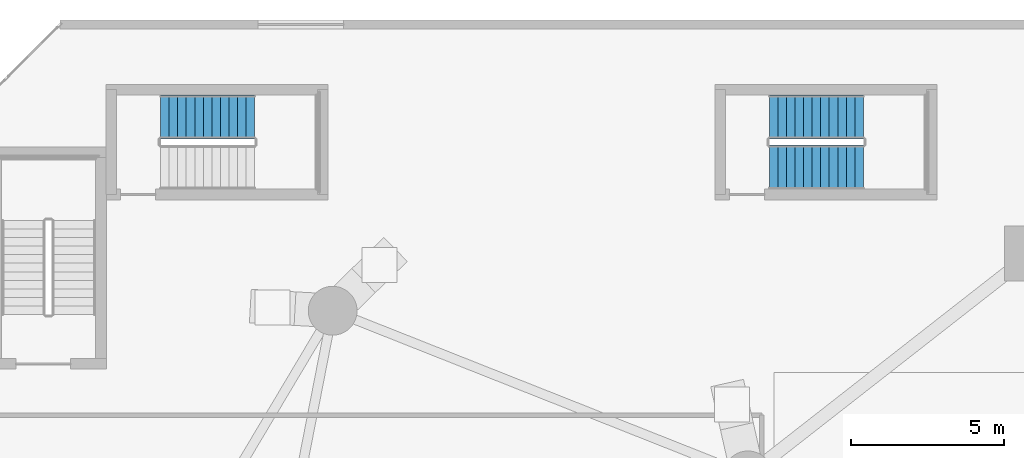
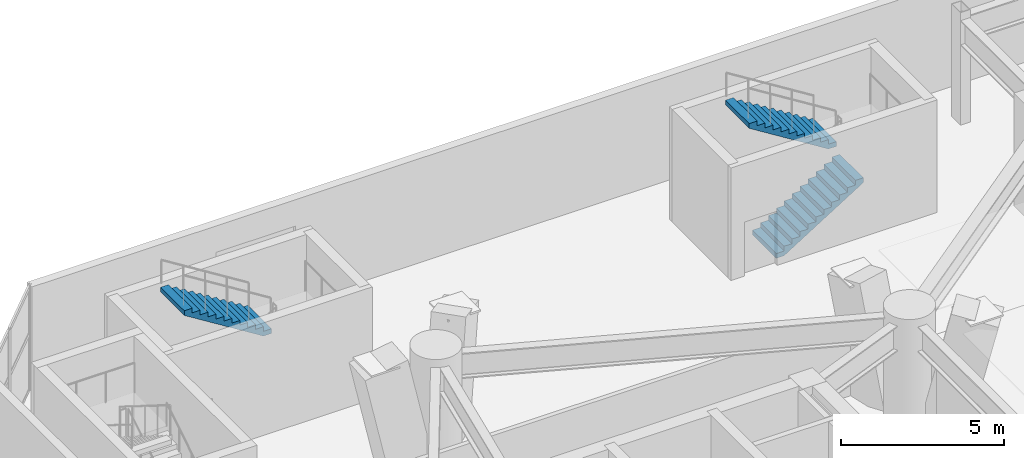
# One storey, part 15 of 20: 3 stair flights, 2 elements without a shape of their own.
"""IFC4 building model written with IfcOpenShell, lengths in metres."""

from ifc_helpers import new_model, si_unit, direction, frame, origin, place, context, subcontext, project, spatial, polyline, outline, extrude, material, type_object, element, aggregate, save


model = new_model("IFC4")

# Units and contexts
model_context = context("Model", 3, precision=1e-05, world=origin(), true_north=direction((0.0, 1.0)))
body_context = subcontext(model_context, "Body", "Model", "MODEL_VIEW")
ifc_project = project(units=[si_unit("LENGTHUNIT", "METRE"), si_unit("AREAUNIT", "SQUARE_METRE"), si_unit("VOLUMEUNIT", "CUBIC_METRE"), si_unit("PLANEANGLEUNIT", "RADIAN"), si_unit("MASSUNIT", "GRAM", prefix="KILO")], contexts=[model_context])

# Site, building, storey
site_placement = place(None, origin())
site = spatial("IfcSite", under=ifc_project, at=site_placement, CompositionType="ELEMENT")
building_placement = place(site_placement, origin())
building = spatial("IfcBuilding", under=site, at=building_placement, Name="Cununo Teusaquillo Station Towers", CompositionType="ELEMENT")
storey_placement = place(building_placement, frame((0.0, 0.0, 4.800048828125)))
storey = spatial("IfcBuildingStorey", under=building, at=storey_placement, Name="L01", CompositionType="ELEMENT", Elevation=4.800048828125)

# Stair, stair flights
ifc_material_1 = material(Name="Concrete C50/60", Category="concrete")
stair_type = type_object("IfcStairType", Name="ST-POD-1450", PredefinedType="HALF_TURN_STAIR", material=ifc_material_1)
stair_1_placement = place(storey_placement, origin())
stair_1 = element("IfcStair", 1, at=stair_1_placement, inside=storey, type_object=stair_type, Name="L01 Station Podium North Protected Exit Stair", PredefinedType="HALF_TURN_STAIR")
ifc_material_2 = material(Name="Concrete C50/60", Category="concrete")
stair_flight_type = type_object("IfcStairFlightType", Name="SFL-POD-1450", PredefinedType="STRAIGHT", material=ifc_material_2)
stair_flight_1_placement = place(storey_placement, frame((27.050048828125, 43.324951171875, 0.0), z_axis=(0.0, 0.0, 1.0), x_axis=(1.0, 0.0, 0.0)))
stair_flight_1 = element("IfcStairFlight", 2, at=stair_flight_1_placement, type_object=stair_flight_type, Name="ST-POD-N flight 1", NumberOfRisers=12, NumberOfTreads=11, PredefinedType="STRAIGHT", RiserHeight=0.175, TreadLength=0.28, context=body_context, shape_type="SweptSolid", body=[
    extrude(outline(polyline([(0.0, 0.0), (0.0, 0.175048828125), (0.280029296875, 0.175048828125), (0.280029296875, 0.35009765625), (0.56005859375, 0.35009765625), (0.56005859375, 0.52490234375), (0.840087890625, 0.52490234375), (0.840087890625, 0.699951171875), (1.1201171875, 0.699951171875), (1.1201171875, 0.875), (1.39990234375, 0.875), (1.39990234375, 1.050048828125), (1.679931640625, 1.050048828125), (1.679931640625, 1.22509765625), (1.9599609375, 1.22509765625), (1.9599609375, 1.39990234375), (2.239990234375, 1.39990234375), (2.239990234375, 1.574951171875), (2.52001953125, 1.574951171875), (2.52001953125, 1.75), (2.800048828125, 1.75), (2.800048828125, 1.925048828125), (3.080078125, 1.925048828125), (3.080078125, 2.10009765625), (3.080078125, 1.748291015625), (0.28271484375, 0.0), (0.0, 0.0)])), frame((0.0, 0.72509765625, 0.0), z_axis=(0.0, -1.0, 0.0), x_axis=(1.0, 0.0, 0.0)), (0.0, 0.0, 1.0), 1.449951171875),
])
stair_flight_2_placement = place(storey_placement, frame((30.1298828125, 44.97509765625, 2.099853515625), z_axis=(0.0, 0.0, 1.0), x_axis=(-1.0, 0.0, 0.0)))
stair_flight_2 = element("IfcStairFlight", 3, at=stair_flight_2_placement, type_object=stair_flight_type, Name="ST-POD-N flight 2", NumberOfRisers=12, NumberOfTreads=11, PredefinedType="STRAIGHT", RiserHeight=0.175, TreadLength=0.28, context=body_context, shape_type="SweptSolid", body=[
    extrude(outline(polyline([(0.0, 0.0), (0.0, 0.175048828125), (0.280029296875, 0.175048828125), (0.280029296875, 0.35009765625), (0.56005859375, 0.35009765625), (0.56005859375, 0.52490234375), (0.840087890625, 0.52490234375), (0.840087890625, 0.699951171875), (1.1201171875, 0.699951171875), (1.1201171875, 0.875), (1.39990234375, 0.875), (1.39990234375, 1.050048828125), (1.679931640625, 1.050048828125), (1.679931640625, 1.22509765625), (1.9599609375, 1.22509765625), (1.9599609375, 1.39990234375), (2.239990234375, 1.39990234375), (2.239990234375, 1.574951171875), (2.52001953125, 1.574951171875), (2.52001953125, 1.75), (2.800048828125, 1.75), (2.800048828125, 1.925048828125), (3.080078125, 1.925048828125), (3.080078125, 2.10009765625), (3.080078125, 1.748291015625), (0.28271484375, 0.0), (0.0, 0.0)])), frame((0.0, 0.72509765625, 0.0), z_axis=(0.0, -1.0, 0.0), x_axis=(1.0, 0.0, 0.0)), (0.0, 0.0, 1.0), 1.449951171875),
])
aggregate(stair_1, [stair_flight_1, stair_flight_2])

# Stair, stair flight
stair_2_placement = place(storey_placement, origin())
stair_2 = element("IfcStair", 4, at=stair_2_placement, inside=storey, type_object=stair_type, Name="L01 Station Podium North-West Protected Exit Stair", PredefinedType="HALF_TURN_STAIR")
stair_flight_3_placement = place(storey_placement, frame((10.179931640625, 44.97509765625, 2.099853515625), z_axis=(0.0, 0.0, 1.0), x_axis=(-1.0, 0.0, 0.0)))
stair_flight_3 = element("IfcStairFlight", 5, at=stair_flight_3_placement, type_object=stair_flight_type, Name="ST-POD-C flight 2", NumberOfRisers=12, NumberOfTreads=11, PredefinedType="STRAIGHT", RiserHeight=0.175, TreadLength=0.28, context=body_context, shape_type="SweptSolid", body=[
    extrude(outline(polyline([(0.0, 0.0), (0.0, 0.175048828125), (0.280029296875, 0.175048828125), (0.280029296875, 0.35009765625), (0.56005859375, 0.35009765625), (0.56005859375, 0.52490234375), (0.840087890625, 0.52490234375), (0.840087890625, 0.699951171875), (1.1201171875, 0.699951171875), (1.1201171875, 0.875), (1.39990234375, 0.875), (1.39990234375, 1.050048828125), (1.679931640625, 1.050048828125), (1.679931640625, 1.22509765625), (1.9599609375, 1.22509765625), (1.9599609375, 1.39990234375), (2.239990234375, 1.39990234375), (2.239990234375, 1.574951171875), (2.52001953125, 1.574951171875), (2.52001953125, 1.75), (2.800048828125, 1.75), (2.800048828125, 1.925048828125), (3.080078125, 1.925048828125), (3.080078125, 2.10009765625), (3.080078125, 1.748291015625), (0.28271484375, 0.0), (0.0, 0.0)])), frame((0.0, 0.72509765625, 0.0), z_axis=(0.0, -1.0, 0.0), x_axis=(1.0, 0.0, 0.0)), (0.0, 0.0, 1.0), 1.449951171875),
])
aggregate(stair_2, [stair_flight_3])

save(model, "model.ifc")
